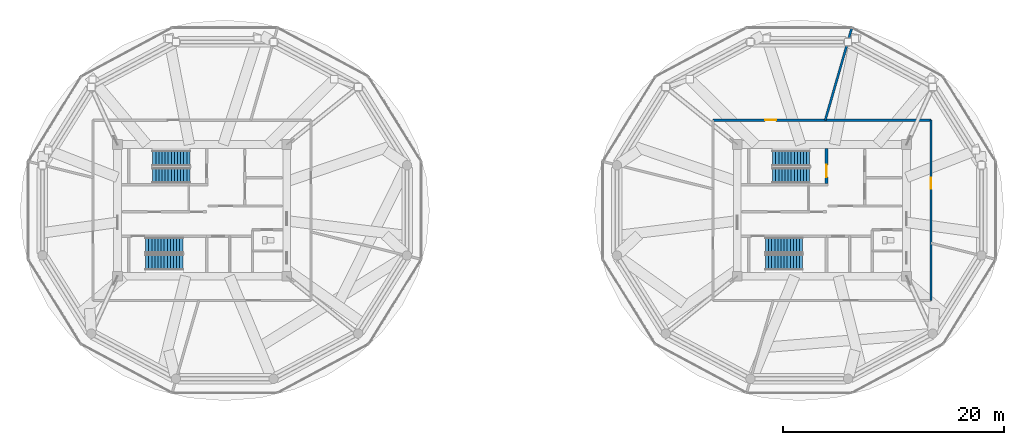
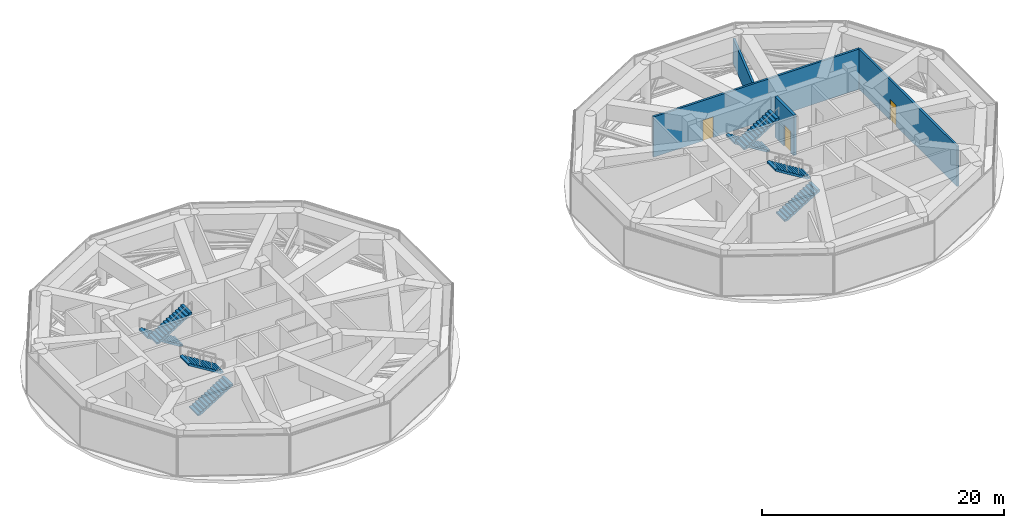
# One storey, part 19 of 23: 8 stair flights, 4 walls, 3 doors, 3 openings, 4 elements without a shape of their own.
"""IFC4 building model written with IfcOpenShell, lengths in metres."""

from ifc_helpers import new_model, si_unit, direction, frame, frame_2d, origin, place, context, subcontext, project, spatial, polyline, rectangle, outline, extrude, source, transform, mapped, material, layer, layer_set, type_object, type_shapes, element, fill, aggregate, save


model = new_model("IFC4")

# Units and contexts
model_context = context("Model", 3, precision=1e-05, world=origin(), true_north=direction((0.0, 1.0)))
body_context = subcontext(model_context, "Body", "Model", "MODEL_VIEW")
ifc_project = project(units=[si_unit("LENGTHUNIT", "METRE"), si_unit("AREAUNIT", "SQUARE_METRE"), si_unit("VOLUMEUNIT", "CUBIC_METRE"), si_unit("PLANEANGLEUNIT", "RADIAN"), si_unit("MASSUNIT", "GRAM", prefix="KILO")], contexts=[model_context])

# Site, building, storey
site_placement = place(None, origin())
site = spatial("IfcSite", under=ifc_project, at=site_placement, CompositionType="ELEMENT")
building_placement = place(site_placement, origin())
building = spatial("IfcBuilding", under=site, at=building_placement, Name="Norrkilde Senior Care Towers", CompositionType="ELEMENT")
storey_placement = place(building_placement, frame((0.0, 0.0, 129.800048828125)))
storey = spatial("IfcBuildingStorey", under=building, at=storey_placement, Name="L40", CompositionType="ELEMENT", Elevation=129.800048828125)

# Wall, opening, door
ifc_material_1 = material(Name="Concrete C45/55", Category="concrete")
ifc_layer_1 = layer(ifc_material_1, 0.199951171875)
ifc_layer_set_1 = layer_set([ifc_layer_1], Name="Concrete C45/55")
wall_type_1 = type_object("IfcWallType", Name="Shaft Division and Plant Partition 200", PredefinedType="PARTITIONING", material=ifc_layer_set_1)
shared_shape_1 = source(origin(), body_context, "Body", "SweptSolid", [
    extrude(rectangle(XDim=19.7001953125, YDim=0.199951171875, at=frame_2d((9.85009765625, 0.0))), origin(), (0.0, 0.0, 1.0), 4.06494140625),
])
wall_1_placement = place(storey_placement, frame((18.14990234375, 8.14990234375, 0.0), z_axis=(0.0, 0.0, 1.0), x_axis=(1.0, 0.0, 0.0)))
wall_1 = element("IfcWall", 1, at=wall_1_placement, inside=storey, type_object=wall_type_1, Name="WL-INT-L40-E-PCR-N", PredefinedType="PARTITIONING", context=body_context, shape_type="MappedRepresentation", body=[
    mapped(shared_shape_1, transform((0.0, 0.0, 0.0), x_axis=(1.0, 0.0, 0.0), y_axis=(0.0, 1.0, 0.0), z_axis=(0.0, 0.0, 1.0), scale=1.0)),
])
opening_1_placement = place(wall_1_placement, frame((4.710693359375, 0.0, 0.0)))
opening_1 = element("IfcOpeningElement", 2, at=opening_1_placement, cuts=wall_1, Name="Opening D-10", PredefinedType="OPENING", context=body_context, shape_type="SweptSolid", body=[
    extrude(rectangle(XDim=1.0, YDim=2.10009765625, at=frame_2d((0.5, 1.050048828125))), frame((0.0, 0.10986328125, 0.0), z_axis=(0.0, -1.0, 0.0), x_axis=(1.0, 0.0, 0.0)), (0.0, 0.0, 1.0), 0.219970703125),
])
ifc_material_2 = material(Name="Galvanised Painted Steel", Category="steel")
door_type_1 = type_object("IfcDoorType", Name="Plant and Riser Rated Door 1000x2100", OperationType="NOTDEFINED", PredefinedType="DOOR", material=ifc_material_2)
shared_shape_2 = source(origin(), body_context, "Body", "SweptSolid", [
    extrude(rectangle(XDim=1.0, YDim=2.10009765625, at=frame_2d((0.5, 1.050048828125))), frame((0.0, 0.02490234375, 0.0), z_axis=(0.0, -1.0, 0.0), x_axis=(1.0, 0.0, 0.0)), (0.0, 0.0, 1.0), 0.050048828125),
])
type_shapes(door_type_1, [shared_shape_2])
door_1_placement = place(opening_1_placement, frame((1.0, 0.0, 0.0), z_axis=(0.0, 0.0, 1.0), x_axis=(-1.0, 0.0, 0.0)))
door_1 = element("IfcDoor", 3, at=door_1_placement, inside=storey, type_object=door_type_1, Name="L40 Dedicated Outdoor Air Handling Unit Room Door", OperationType="SINGLE_SWING_LEFT", OverallHeight=2.10009765625, OverallWidth=1.0, PredefinedType="DOOR", context=body_context, shape_type="MappedRepresentation", body=[
    mapped(shared_shape_2, transform((0.0, 0.0, 0.0), x_axis=(1.0, 0.0, 0.0), y_axis=(0.0, 1.0, 0.0), z_axis=(0.0, 0.0, 1.0), scale=1.0)),
])
fill(opening_1, door_1)

shared_shape_3 = source(origin(), body_context, "Body", "SweptSolid", [
    extrude(rectangle(XDim=16.2998046875, YDim=0.199951171875, at=frame_2d((8.14990234375, 0.0))), origin(), (0.0, 0.0, 1.0), 4.06494140625),
])
wall_2_placement = place(storey_placement, frame((37.85009765625, 8.14990234375, 0.0), z_axis=(0.0, 0.0, 1.0), x_axis=(0.0, -1.0, 0.0)))
wall_2 = element("IfcWall", 4, at=wall_2_placement, inside=storey, type_object=wall_type_1, Name="WL-INT-L40-E-PCR-E", PredefinedType="PARTITIONING", context=body_context, shape_type="MappedRepresentation", body=[
    mapped(shared_shape_3, transform((0.0, 0.0, 0.0), x_axis=(1.0, 0.0, 0.0), y_axis=(0.0, 1.0, 0.0), z_axis=(0.0, 0.0, 1.0), scale=1.0)),
])
opening_2_placement = place(wall_2_placement, frame((5.21142578125, 0.0, 0.0)))
opening_2 = element("IfcOpeningElement", 5, at=opening_2_placement, cuts=wall_2, Name="Opening D-10", PredefinedType="OPENING", context=body_context, shape_type="SweptSolid", body=[
    extrude(rectangle(XDim=1.0, YDim=2.10009765625, at=frame_2d((0.5, 1.050048828125))), frame((0.0, 0.10986328125, 0.0), z_axis=(0.0, -1.0, 0.0), x_axis=(1.0, 0.0, 0.0)), (0.0, 0.0, 1.0), 0.219970703125),
])
door_2_placement = place(opening_2_placement, frame((1.0, 0.0, 0.0), z_axis=(0.0, 0.0, 1.0), x_axis=(-1.0, 0.0, 0.0)))
door_2 = element("IfcDoor", 6, at=door_2_placement, inside=storey, type_object=door_type_1, Name="L40 Chiller and Heat-Recovery Cooling Plant Door", OperationType="SINGLE_SWING_RIGHT", OverallHeight=2.10009765625, OverallWidth=1.0, PredefinedType="DOOR", context=body_context, shape_type="MappedRepresentation", body=[
    mapped(shared_shape_2, transform((0.0, 0.0, 0.0), x_axis=(1.0, 0.0, 0.0), y_axis=(0.0, 1.0, 0.0), z_axis=(0.0, 0.0, 1.0), scale=1.0)),
])
fill(opening_2, door_2)

ifc_layer_2 = layer(ifc_material_1, 0.239990234375)
ifc_layer_set_2 = layer_set([ifc_layer_2], Name="Concrete C45/55")
wall_type_2 = type_object("IfcWallType", Name="Shaft and Stair Enclosure Wall 240", PredefinedType="PARTITIONING", material=ifc_layer_set_2)
shared_shape_4 = source(origin(), body_context, "Body", "SweptSolid", [
    extrude(rectangle(XDim=3.14013671875, YDim=0.239990234375, at=frame_2d((1.570068359375, 0.0))), origin(), (0.0, 0.0, 1.0), 4.079833984375),
])
type_shapes(wall_type_2, [shared_shape_4])
wall_3_placement = place(storey_placement, frame((28.419921875, 2.449951171875, 0.0), z_axis=(0.0, 0.0, 1.0), x_axis=(0.0, 1.0, 0.0)))
wall_3 = element("IfcWall", 7, at=wall_3_placement, inside=storey, type_object=wall_type_2, Name="WL-INT-L40-E-ST1E", PredefinedType="PARTITIONING", context=body_context, shape_type="MappedRepresentation", body=[
    mapped(shared_shape_4, transform((0.0, 0.0, 0.0), x_axis=(1.0, 0.0, 0.0), y_axis=(0.0, 1.0, 0.0), z_axis=(0.0, 0.0, 1.0), scale=1.0)),
])
opening_3_placement = place(wall_3_placement, frame((0.550048828125, 0.0, 0.0)))
opening_3 = element("IfcOpeningElement", 8, at=opening_3_placement, cuts=wall_3, Name="Opening D-03", PredefinedType="OPENING", context=body_context, shape_type="SweptSolid", body=[
    extrude(rectangle(XDim=1.10009765625, YDim=2.14990234375, at=frame_2d((0.550048828125, 1.074951171875))), frame((0.0, 0.1298828125, 0.0), z_axis=(0.0, -1.0, 0.0), x_axis=(1.0, 0.0, 0.0)), (0.0, 0.0, 1.0), 0.260009765625),
])
door_type_2 = type_object("IfcDoorType", Name="Stairwell Protected Fire Door 1100x2150", OperationType="NOTDEFINED", PredefinedType="DOOR", material=ifc_material_2)
shared_shape_5 = source(origin(), body_context, "Body", "SweptSolid", [
    extrude(rectangle(XDim=1.10009765625, YDim=2.14990234375, at=frame_2d((0.550048828125, 1.074951171875))), frame((0.0, 0.02490234375, 0.0), z_axis=(0.0, -1.0, 0.0), x_axis=(1.0, 0.0, 0.0)), (0.0, 0.0, 1.0), 0.050048828125),
])
type_shapes(door_type_2, [shared_shape_5])
door_3_placement = place(opening_3_placement, origin())
door_3 = element("IfcDoor", 9, at=door_3_placement, inside=storey, type_object=door_type_2, Name="L40 Stair E1 Fire Door", OperationType="SINGLE_SWING_LEFT", OverallHeight=2.14990234375, OverallWidth=1.10009765625, PredefinedType="DOOR", context=body_context, shape_type="MappedRepresentation", body=[
    mapped(shared_shape_5, transform((0.0, 0.0, 0.0), x_axis=(1.0, 0.0, 0.0), y_axis=(0.0, 1.0, 0.0), z_axis=(0.0, 0.0, 1.0), scale=1.0)),
])
fill(opening_3, door_3)

# Wall
shared_shape_6 = source(origin(), body_context, "Body", "SweptSolid", [
    extrude(rectangle(XDim=8.708251953125, YDim=0.199951171875, at=frame_2d((4.35400390625, 0.0))), origin(), (0.0, 0.0, 1.0), 2.514892578125),
])
type_shapes(wall_type_1, [shared_shape_1, shared_shape_3, shared_shape_6])
wall_4_placement = place(storey_placement, frame((28.2998046875, 8.14990234375, 0.0), z_axis=(0.0, 0.0, 1.0), x_axis=(0.277019790717, 0.960864212858, 0.0)))
element("IfcWall", 10, at=wall_4_placement, inside=storey, type_object=wall_type_1, Name="WL-INT-L40-E-PRAD-2-0", PredefinedType="PARTITIONING", context=body_context, shape_type="MappedRepresentation", body=[
    mapped(shared_shape_6, transform((0.0, 0.0, 0.0), x_axis=(1.0, 0.0, 0.0), y_axis=(0.0, 1.0, 0.0), z_axis=(0.0, 0.0, 1.0), scale=1.0)),
])

# Stair, stair flights
stair_type = type_object("IfcStairType", Name="Core Protected Dogleg Stair Refuge 4500", PredefinedType="HALF_TURN_STAIR", material=ifc_material_1)
stair_1_placement = place(storey_placement, origin())
stair_1 = element("IfcStair", 11, at=stair_1_placement, inside=storey, type_object=stair_type, Name="L40 Protected Core Stair W1", PredefinedType="HALF_TURN_STAIR")
stair_flight_type = type_object("IfcStairFlightType", Name="Core Protected Dogleg Stair Refuge 4500 Flight", PredefinedType="STRAIGHT", material=ifc_material_1)
stair_flight_1_placement = place(storey_placement, frame((-29.10009765625, 4.699951171875, 0.0), z_axis=(0.0, 0.0, 1.0), x_axis=(-1.0, 0.0, 0.0)))
stair_flight_1 = element("IfcStairFlight", 12, at=stair_flight_1_placement, type_object=stair_flight_type, Name="ST-W1 flight 1", NumberOfRisers=13, NumberOfTreads=12, PredefinedType="STRAIGHT", RiserHeight=0.173076923, TreadLength=0.28, context=body_context, shape_type="SweptSolid", body=[
    extrude(outline(polyline([(0.0, 0.0), (0.0, 0.173095703125), (0.280029296875, 0.173095703125), (0.280029296875, 0.34619140625), (0.56005859375, 0.34619140625), (0.56005859375, 0.519287109375), (0.840087890625, 0.519287109375), (0.840087890625, 0.6923828125), (1.1201171875, 0.6923828125), (1.1201171875, 0.865478515625), (1.39990234375, 0.865478515625), (1.39990234375, 1.03857421875), (1.679931640625, 1.03857421875), (1.679931640625, 1.21142578125), (1.9599609375, 1.21142578125), (1.9599609375, 1.384521484375), (2.239990234375, 1.384521484375), (2.239990234375, 1.5576171875), (2.52001953125, 1.5576171875), (2.52001953125, 1.730712890625), (2.800048828125, 1.730712890625), (2.800048828125, 1.90380859375), (3.080078125, 1.90380859375), (3.080078125, 2.076904296875), (3.360107421875, 2.076904296875), (3.360107421875, 2.25), (3.360107421875, 1.900634765625), (0.28515625, 0.0), (0.0, 0.0)])), frame((0.0, 0.699951171875, 0.0), z_axis=(0.0, -1.0, 0.0), x_axis=(1.0, 0.0, 0.0)), (0.0, 0.0, 1.0), 1.39990234375),
])
stair_flight_2_placement = place(storey_placement, frame((-32.4599609375, 3.14990234375, 2.25), z_axis=(0.0, 0.0, 1.0), x_axis=(1.0, 0.0, 0.0)))
stair_flight_2 = element("IfcStairFlight", 13, at=stair_flight_2_placement, type_object=stair_flight_type, Name="ST-W1 flight 2", NumberOfRisers=13, NumberOfTreads=12, PredefinedType="STRAIGHT", RiserHeight=0.173076923, TreadLength=0.28, context=body_context, shape_type="SweptSolid", body=[
    extrude(outline(polyline([(0.0, 0.0), (0.0, 0.173095703125), (0.280029296875, 0.173095703125), (0.280029296875, 0.34619140625), (0.56005859375, 0.34619140625), (0.56005859375, 0.519287109375), (0.840087890625, 0.519287109375), (0.840087890625, 0.6923828125), (1.1201171875, 0.6923828125), (1.1201171875, 0.865478515625), (1.39990234375, 0.865478515625), (1.39990234375, 1.03857421875), (1.679931640625, 1.03857421875), (1.679931640625, 1.21142578125), (1.9599609375, 1.21142578125), (1.9599609375, 1.384521484375), (2.239990234375, 1.384521484375), (2.239990234375, 1.5576171875), (2.52001953125, 1.5576171875), (2.52001953125, 1.730712890625), (2.800048828125, 1.730712890625), (2.800048828125, 1.90380859375), (3.080078125, 1.90380859375), (3.080078125, 2.076904296875), (3.360107421875, 2.076904296875), (3.360107421875, 2.25), (3.360107421875, 1.900634765625), (0.28515625, 0.0), (0.0, 0.0)])), frame((0.0, 0.699951171875, 0.0), z_axis=(0.0, -1.0, 0.0), x_axis=(1.0, 0.0, 0.0)), (0.0, 0.0, 1.0), 1.39990234375),
])
aggregate(stair_1, [stair_flight_1, stair_flight_2])

stair_2_placement = place(storey_placement, origin())
stair_2 = element("IfcStair", 14, at=stair_2_placement, inside=storey, type_object=stair_type, Name="L40 Protected Core Stair W2", PredefinedType="HALF_TURN_STAIR")
stair_flight_3_placement = place(storey_placement, frame((-33.10009765625, -4.699951171875, 0.0), z_axis=(0.0, 0.0, 1.0), x_axis=(1.0, 0.0, 0.0)))
stair_flight_3 = element("IfcStairFlight", 15, at=stair_flight_3_placement, type_object=stair_flight_type, Name="ST-W2 flight 1", NumberOfRisers=13, NumberOfTreads=12, PredefinedType="STRAIGHT", RiserHeight=0.173076923, TreadLength=0.28, context=body_context, shape_type="SweptSolid", body=[
    extrude(outline(polyline([(0.0, 0.0), (0.0, 0.173095703125), (0.280029296875, 0.173095703125), (0.280029296875, 0.34619140625), (0.56005859375, 0.34619140625), (0.56005859375, 0.519287109375), (0.840087890625, 0.519287109375), (0.840087890625, 0.6923828125), (1.1201171875, 0.6923828125), (1.1201171875, 0.865478515625), (1.39990234375, 0.865478515625), (1.39990234375, 1.03857421875), (1.679931640625, 1.03857421875), (1.679931640625, 1.21142578125), (1.9599609375, 1.21142578125), (1.9599609375, 1.384521484375), (2.239990234375, 1.384521484375), (2.239990234375, 1.5576171875), (2.52001953125, 1.5576171875), (2.52001953125, 1.730712890625), (2.800048828125, 1.730712890625), (2.800048828125, 1.90380859375), (3.080078125, 1.90380859375), (3.080078125, 2.076904296875), (3.360107421875, 2.076904296875), (3.360107421875, 2.25), (3.360107421875, 1.900634765625), (0.28515625, 0.0), (0.0, 0.0)])), frame((0.0, 0.699951171875, 0.0), z_axis=(0.0, -1.0, 0.0), x_axis=(1.0, 0.0, 0.0)), (0.0, 0.0, 1.0), 1.39990234375),
])
stair_flight_4_placement = place(storey_placement, frame((-29.739990234375, -3.14990234375, 2.25), z_axis=(0.0, 0.0, 1.0), x_axis=(-1.0, 0.0, 0.0)))
stair_flight_4 = element("IfcStairFlight", 16, at=stair_flight_4_placement, type_object=stair_flight_type, Name="ST-W2 flight 2", NumberOfRisers=13, NumberOfTreads=12, PredefinedType="STRAIGHT", RiserHeight=0.173076923, TreadLength=0.28, context=body_context, shape_type="SweptSolid", body=[
    extrude(outline(polyline([(0.0, 0.0), (0.0, 0.173095703125), (0.280029296875, 0.173095703125), (0.280029296875, 0.34619140625), (0.56005859375, 0.34619140625), (0.56005859375, 0.519287109375), (0.840087890625, 0.519287109375), (0.840087890625, 0.6923828125), (1.1201171875, 0.6923828125), (1.1201171875, 0.865478515625), (1.39990234375, 0.865478515625), (1.39990234375, 1.03857421875), (1.679931640625, 1.03857421875), (1.679931640625, 1.21142578125), (1.9599609375, 1.21142578125), (1.9599609375, 1.384521484375), (2.239990234375, 1.384521484375), (2.239990234375, 1.5576171875), (2.52001953125, 1.5576171875), (2.52001953125, 1.730712890625), (2.800048828125, 1.730712890625), (2.800048828125, 1.90380859375), (3.080078125, 1.90380859375), (3.080078125, 2.076904296875), (3.360107421875, 2.076904296875), (3.360107421875, 2.25), (3.360107421875, 1.900634765625), (0.28515625, 0.0), (0.0, 0.0)])), frame((0.0, 0.699951171875, 0.0), z_axis=(0.0, -1.0, 0.0), x_axis=(1.0, 0.0, 0.0)), (0.0, 0.0, 1.0), 1.39990234375),
])
aggregate(stair_2, [stair_flight_3, stair_flight_4])

stair_3_placement = place(storey_placement, origin())
stair_3 = element("IfcStair", 17, at=stair_3_placement, inside=storey, type_object=stair_type, Name="L40 Protected Core Stair E1", PredefinedType="HALF_TURN_STAIR")
stair_flight_5_placement = place(storey_placement, frame((26.89990234375, 4.699951171875, 0.0), z_axis=(0.0, 0.0, 1.0), x_axis=(-1.0, 0.0, 0.0)))
stair_flight_5 = element("IfcStairFlight", 18, at=stair_flight_5_placement, type_object=stair_flight_type, Name="ST-E1 flight 1", NumberOfRisers=13, NumberOfTreads=12, PredefinedType="STRAIGHT", RiserHeight=0.173076923, TreadLength=0.28, context=body_context, shape_type="SweptSolid", body=[
    extrude(outline(polyline([(0.0, 0.0), (0.0, 0.173095703125), (0.280029296875, 0.173095703125), (0.280029296875, 0.34619140625), (0.56005859375, 0.34619140625), (0.56005859375, 0.519287109375), (0.840087890625, 0.519287109375), (0.840087890625, 0.6923828125), (1.1201171875, 0.6923828125), (1.1201171875, 0.865478515625), (1.39990234375, 0.865478515625), (1.39990234375, 1.03857421875), (1.679931640625, 1.03857421875), (1.679931640625, 1.21142578125), (1.9599609375, 1.21142578125), (1.9599609375, 1.384521484375), (2.239990234375, 1.384521484375), (2.239990234375, 1.5576171875), (2.52001953125, 1.5576171875), (2.52001953125, 1.730712890625), (2.800048828125, 1.730712890625), (2.800048828125, 1.90380859375), (3.080078125, 1.90380859375), (3.080078125, 2.076904296875), (3.360107421875, 2.076904296875), (3.360107421875, 2.25), (3.360107421875, 1.900634765625), (0.28515625, 0.0), (0.0, 0.0)])), frame((0.0, 0.699951171875, 0.0), z_axis=(0.0, -1.0, 0.0), x_axis=(1.0, 0.0, 0.0)), (0.0, 0.0, 1.0), 1.39990234375),
])
stair_flight_6_placement = place(storey_placement, frame((23.5400390625, 3.14990234375, 2.25), z_axis=(0.0, 0.0, 1.0), x_axis=(1.0, 0.0, 0.0)))
stair_flight_6 = element("IfcStairFlight", 19, at=stair_flight_6_placement, type_object=stair_flight_type, Name="ST-E1 flight 2", NumberOfRisers=13, NumberOfTreads=12, PredefinedType="STRAIGHT", RiserHeight=0.173076923, TreadLength=0.28, context=body_context, shape_type="SweptSolid", body=[
    extrude(outline(polyline([(0.0, 0.0), (0.0, 0.173095703125), (0.280029296875, 0.173095703125), (0.280029296875, 0.34619140625), (0.56005859375, 0.34619140625), (0.56005859375, 0.519287109375), (0.840087890625, 0.519287109375), (0.840087890625, 0.6923828125), (1.1201171875, 0.6923828125), (1.1201171875, 0.865478515625), (1.39990234375, 0.865478515625), (1.39990234375, 1.03857421875), (1.679931640625, 1.03857421875), (1.679931640625, 1.21142578125), (1.9599609375, 1.21142578125), (1.9599609375, 1.384521484375), (2.239990234375, 1.384521484375), (2.239990234375, 1.5576171875), (2.52001953125, 1.5576171875), (2.52001953125, 1.730712890625), (2.800048828125, 1.730712890625), (2.800048828125, 1.90380859375), (3.080078125, 1.90380859375), (3.080078125, 2.076904296875), (3.360107421875, 2.076904296875), (3.360107421875, 2.25), (3.360107421875, 1.900634765625), (0.28515625, 0.0), (0.0, 0.0)])), frame((0.0, 0.699951171875, 0.0), z_axis=(0.0, -1.0, 0.0), x_axis=(1.0, 0.0, 0.0)), (0.0, 0.0, 1.0), 1.39990234375),
])
aggregate(stair_3, [stair_flight_5, stair_flight_6])

stair_4_placement = place(storey_placement, origin())
stair_4 = element("IfcStair", 20, at=stair_4_placement, inside=storey, type_object=stair_type, Name="L40 Protected Core Stair E2", PredefinedType="HALF_TURN_STAIR")
stair_flight_7_placement = place(storey_placement, frame((22.89990234375, -4.699951171875, 0.0), z_axis=(0.0, 0.0, 1.0), x_axis=(1.0, 0.0, 0.0)))
stair_flight_7 = element("IfcStairFlight", 21, at=stair_flight_7_placement, type_object=stair_flight_type, Name="ST-E2 flight 1", NumberOfRisers=13, NumberOfTreads=12, PredefinedType="STRAIGHT", RiserHeight=0.173076923, TreadLength=0.28, context=body_context, shape_type="SweptSolid", body=[
    extrude(outline(polyline([(0.0, 0.0), (0.0, 0.173095703125), (0.280029296875, 0.173095703125), (0.280029296875, 0.34619140625), (0.56005859375, 0.34619140625), (0.56005859375, 0.519287109375), (0.840087890625, 0.519287109375), (0.840087890625, 0.6923828125), (1.1201171875, 0.6923828125), (1.1201171875, 0.865478515625), (1.39990234375, 0.865478515625), (1.39990234375, 1.03857421875), (1.679931640625, 1.03857421875), (1.679931640625, 1.21142578125), (1.9599609375, 1.21142578125), (1.9599609375, 1.384521484375), (2.239990234375, 1.384521484375), (2.239990234375, 1.5576171875), (2.52001953125, 1.5576171875), (2.52001953125, 1.730712890625), (2.800048828125, 1.730712890625), (2.800048828125, 1.90380859375), (3.080078125, 1.90380859375), (3.080078125, 2.076904296875), (3.360107421875, 2.076904296875), (3.360107421875, 2.25), (3.360107421875, 1.900634765625), (0.28515625, 0.0), (0.0, 0.0)])), frame((0.0, 0.699951171875, 0.0), z_axis=(0.0, -1.0, 0.0), x_axis=(1.0, 0.0, 0.0)), (0.0, 0.0, 1.0), 1.39990234375),
])
stair_flight_8_placement = place(storey_placement, frame((26.260009765625, -3.14990234375, 2.25), z_axis=(0.0, 0.0, 1.0), x_axis=(-1.0, 0.0, 0.0)))
stair_flight_8 = element("IfcStairFlight", 22, at=stair_flight_8_placement, type_object=stair_flight_type, Name="ST-E2 flight 2", NumberOfRisers=13, NumberOfTreads=12, PredefinedType="STRAIGHT", RiserHeight=0.173076923, TreadLength=0.28, context=body_context, shape_type="SweptSolid", body=[
    extrude(outline(polyline([(0.0, 0.0), (0.0, 0.173095703125), (0.280029296875, 0.173095703125), (0.280029296875, 0.34619140625), (0.56005859375, 0.34619140625), (0.56005859375, 0.519287109375), (0.840087890625, 0.519287109375), (0.840087890625, 0.6923828125), (1.1201171875, 0.6923828125), (1.1201171875, 0.865478515625), (1.39990234375, 0.865478515625), (1.39990234375, 1.03857421875), (1.679931640625, 1.03857421875), (1.679931640625, 1.21142578125), (1.9599609375, 1.21142578125), (1.9599609375, 1.384521484375), (2.239990234375, 1.384521484375), (2.239990234375, 1.5576171875), (2.52001953125, 1.5576171875), (2.52001953125, 1.730712890625), (2.800048828125, 1.730712890625), (2.800048828125, 1.90380859375), (3.080078125, 1.90380859375), (3.080078125, 2.076904296875), (3.360107421875, 2.076904296875), (3.360107421875, 2.25), (3.360107421875, 1.900634765625), (0.28515625, 0.0), (0.0, 0.0)])), frame((0.0, 0.699951171875, 0.0), z_axis=(0.0, -1.0, 0.0), x_axis=(1.0, 0.0, 0.0)), (0.0, 0.0, 1.0), 1.39990234375),
])
aggregate(stair_4, [stair_flight_7, stair_flight_8])

save(model, "model.ifc")
